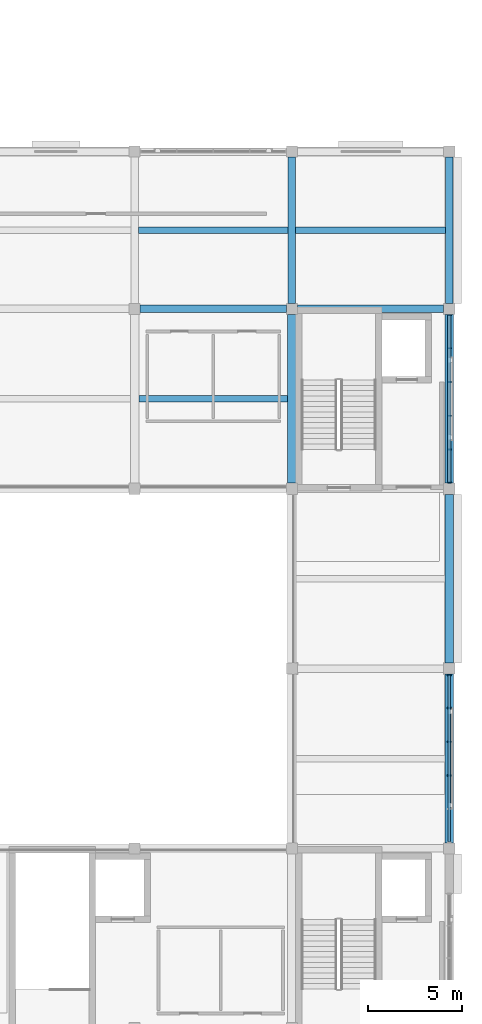
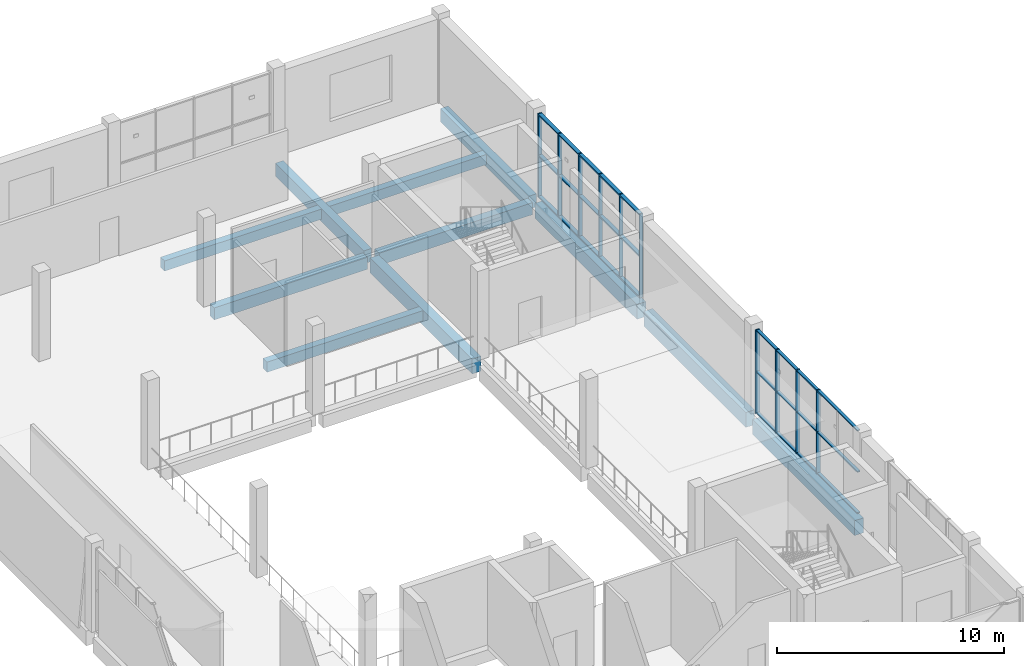
# One storey, part 13 of 37: 16 members, 11 beams, 2 elements without a shape of their own.
"""IFC4 building model written with IfcOpenShell, lengths in metres."""

from ifc_helpers import new_model, si_unit, direction, frame, origin, origin_2d, place, context, subcontext, project, spatial, rectangle, extrude, material, material_profile, profile_set, type_object, element, aggregate, save


model = new_model("IFC4")

# Units and contexts
model_context = context("Model", 3, precision=1e-05, world=origin(), true_north=direction((0.0, 1.0)))
body_context = subcontext(model_context, "Body", "Model", "MODEL_VIEW")
ifc_project = project(units=[si_unit("LENGTHUNIT", "METRE"), si_unit("AREAUNIT", "SQUARE_METRE"), si_unit("VOLUMEUNIT", "CUBIC_METRE"), si_unit("PLANEANGLEUNIT", "RADIAN"), si_unit("MASSUNIT", "GRAM", prefix="KILO")], contexts=[model_context])

# Site, building, storey
site_placement = place(None, origin())
site = spatial("IfcSite", under=ifc_project, at=site_placement, CompositionType="ELEMENT")
building_placement = place(site_placement, origin())
building = spatial("IfcBuilding", under=site, at=building_placement, Name="Shalvenor Court Art Gallery", CompositionType="ELEMENT")
storey_placement = place(building_placement, frame((0.0, 0.0, 22.199951171875)))
storey = spatial("IfcBuildingStorey", under=building, at=storey_placement, Name="L04", CompositionType="ELEMENT", Elevation=22.199951171875)

# Beams
ifc_material_1 = material(Name="Concrete C40/50", Category="concrete")
ifc_material_profile_1 = material_profile(ifc_material_1, rectangle(XDim=0.449951171875, YDim=0.800048828125, at=origin_2d()), Name="RC 450x800")
ifc_profile_set_1 = profile_set([ifc_material_profile_1], Name="Concrete C40/50")
beam_type_1 = type_object("IfcBeamType", Name="B-03", PredefinedType="BEAM", material=ifc_profile_set_1)
for number, where, z_axis, x_axis, name in (
    (1, (168.0, 79.5, -0.699951171875), (0.0, 1.0, 0.0), (-1.0, 0.0, 0.0), "L04 Girder BM-L04-B-03-1197"),
    (2, (176.39990234375, 60.300048828125, -0.699951171875), (0.0, 1.0, 0.0), (-1.0, 0.0, 0.0), "L04 Girder BM-L04-B-03-1201"),
    (3, (176.39990234375, 69.89990234375, -0.699951171875), (0.0, 1.0, 0.0), (-1.0, 0.0, 0.0), "L04 Girder BM-L04-B-03-1202"),
    (4, (176.39990234375, 79.5, -0.699951171875), (0.0, 1.0, 0.0), (-1.0, 0.0, 0.0), "L04 Girder BM-L04-B-03-1203"),
):
    element("IfcBeam", number, at=place(storey_placement, frame(where, z_axis=z_axis, x_axis=x_axis)), inside=storey, type_object=beam_type_1, Name=name, PredefinedType="BEAM", context=body_context, shape_type="SweptSolid", body=[
        extrude(rectangle(XDim=0.449951171875, YDim=0.800048828125, at=origin_2d()), origin(), (0.0, 0.0, 1.0), 9.0),
    ])
ifc_material_2 = material(Name="Concrete C40/50", Category="concrete")
ifc_material_profile_2 = material_profile(ifc_material_2, rectangle(XDim=0.39990234375, YDim=0.699951171875, at=origin_2d()), Name="RC 400x700")
ifc_profile_set_2 = profile_set([ifc_material_profile_2], Name="Concrete C40/50")
beam_type_2 = type_object("IfcBeamType", Name="B-05", PredefinedType="BEAM", material=ifc_profile_set_2)
for number, where, z_axis, x_axis, name in (
    (5, (168.0, 89.10009765625, -0.64990234375), (0.0, 1.0, 0.0), (-1.0, 0.0, 0.0), "L04 Girder BM-L04-B-05-1198"),
    (6, (176.39990234375, 89.10009765625, -0.64990234375), (0.0, 1.0, 0.0), (-1.0, 0.0, 0.0), "L04 Girder BM-L04-B-05-1204"),
):
    element("IfcBeam", number, at=place(storey_placement, frame(where, z_axis=z_axis, x_axis=x_axis)), inside=storey, type_object=beam_type_2, Name=name, PredefinedType="BEAM", context=body_context, shape_type="SweptSolid", body=[
        extrude(rectangle(XDim=0.39990234375, YDim=0.699951171875, at=origin_2d()), origin(), (0.0, 0.0, 1.0), 7.7998046875),
    ])
ifc_material_3 = material(Name="Concrete C40/50", Category="concrete")
ifc_material_profile_3 = material_profile(ifc_material_3, rectangle(XDim=0.39990234375, YDim=0.64990234375, at=origin_2d()), Name="RC 400x650")
ifc_profile_set_3 = profile_set([ifc_material_profile_3], Name="Concrete C40/50")
beam_type_3 = type_object("IfcBeamType", Name="B-06", PredefinedType="BEAM", material=ifc_profile_set_3)
for number, where, z_axis, x_axis, name in (
    (7, (159.89990234375, 88.800048828125, -0.625), (1.0, 0.0, 0.0), (0.0, 1.0, 0.0), "L04 Girder BM-L04-B-06-1235"),
    (8, (168.300048828125, 88.800048828125, -0.625), (1.0, 0.0, 0.0), (0.0, 1.0, 0.0), "L04 Girder BM-L04-B-06-1236"),
):
    element("IfcBeam", number, at=place(storey_placement, frame(where, z_axis=z_axis, x_axis=x_axis)), inside=storey, type_object=beam_type_3, Name=name, PredefinedType="BEAM", context=body_context, shape_type="SweptSolid", body=[
        extrude(rectangle(XDim=0.39990234375, YDim=0.64990234375, at=origin_2d()), origin(), (0.0, 0.0, 1.0), 7.800048828125),
    ])

# Curtain wall, members
ifc_material_4 = material(Name="Anodised aluminium and low-iron glass curtain wall", Category="aluminium")
curtain_wall_type_1 = type_object("IfcCurtainWallType", Name="CW-5x2-90-45-142", PredefinedType="USERDEFINED", material=ifc_material_4)
curtain_wall_1_placement = place(storey_placement, origin())
curtain_wall_1 = element("IfcCurtainWall", 9, at=curtain_wall_1_placement, inside=storey, type_object=curtain_wall_type_1, Name="L04 V1 Curtain Wall CW-L04-032", ObjectType="CURTAIN WALL", PredefinedType="USERDEFINED")
ifc_material_5 = material(Name="Anodised aluminium mullion", Category="aluminium")
ifc_material_profile_4 = material_profile(ifc_material_5, rectangle(XDim=0.06494140625, YDim=0.179931640625, at=origin_2d()), Name="CWM-01")
ifc_profile_set_4 = profile_set([ifc_material_profile_4], Name="Anodised aluminium mullion")
member_type_1 = type_object("IfcMemberType", Name="CWM-01", PredefinedType="MULLION", material=ifc_profile_set_4)
member_1_placement = place(storey_placement, frame((176.39990234375, 88.467529296875, 0.0), z_axis=(0.0, 0.0, 1.0), x_axis=(0.0, -1.0, 0.0)))
member_1 = element("IfcMember", 10, at=member_1_placement, type_object=member_type_1, Name="CW-5x2-90-45-142 mullion 1", PredefinedType="MULLION", context=body_context, shape_type="SweptSolid", body=[
    extrude(rectangle(XDim=0.06494140625, YDim=0.179931640625, at=origin_2d()), origin(), (0.0, 0.0, 1.0), 4.5),
])
member_2_placement = place(storey_placement, frame((176.39990234375, 86.699951171875, 0.0), z_axis=(0.0, 0.0, 1.0), x_axis=(0.0, -1.0, 0.0)))
member_2 = element("IfcMember", 11, at=member_2_placement, type_object=member_type_1, Name="CW-5x2-90-45-142 mullion 2", PredefinedType="MULLION", context=body_context, shape_type="SweptSolid", body=[
    extrude(rectangle(XDim=0.06494140625, YDim=0.179931640625, at=origin_2d()), origin(), (0.0, 0.0, 1.0), 4.5),
])
member_3_placement = place(storey_placement, frame((176.39990234375, 84.89990234375, 0.0), z_axis=(0.0, 0.0, 1.0), x_axis=(0.0, -1.0, 0.0)))
member_3 = element("IfcMember", 12, at=member_3_placement, type_object=member_type_1, Name="CW-5x2-90-45-142 mullion 3", PredefinedType="MULLION", context=body_context, shape_type="SweptSolid", body=[
    extrude(rectangle(XDim=0.06494140625, YDim=0.179931640625, at=origin_2d()), origin(), (0.0, 0.0, 1.0), 4.5),
])
member_4_placement = place(storey_placement, frame((176.39990234375, 83.10009765625, 0.0), z_axis=(0.0, 0.0, 1.0), x_axis=(0.0, -1.0, 0.0)))
member_4 = element("IfcMember", 13, at=member_4_placement, type_object=member_type_1, Name="CW-5x2-90-45-142 mullion 4", PredefinedType="MULLION", context=body_context, shape_type="SweptSolid", body=[
    extrude(rectangle(XDim=0.06494140625, YDim=0.179931640625, at=origin_2d()), origin(), (0.0, 0.0, 1.0), 4.5),
])
member_5_placement = place(storey_placement, frame((176.39990234375, 81.300048828125, 0.0), z_axis=(0.0, 0.0, 1.0), x_axis=(0.0, -1.0, 0.0)))
member_5 = element("IfcMember", 14, at=member_5_placement, type_object=member_type_1, Name="CW-5x2-90-45-142 mullion 5", PredefinedType="MULLION", context=body_context, shape_type="SweptSolid", body=[
    extrude(rectangle(XDim=0.06494140625, YDim=0.179931640625, at=origin_2d()), origin(), (0.0, 0.0, 1.0), 4.5),
])
member_6_placement = place(storey_placement, frame((176.39990234375, 79.532470703125, 0.0), z_axis=(0.0, 0.0, 1.0), x_axis=(0.0, -1.0, 0.0)))
member_6 = element("IfcMember", 15, at=member_6_placement, type_object=member_type_1, Name="CW-5x2-90-45-142 mullion 6", PredefinedType="MULLION", context=body_context, shape_type="SweptSolid", body=[
    extrude(rectangle(XDim=0.06494140625, YDim=0.179931640625, at=origin_2d()), origin(), (0.0, 0.0, 1.0), 4.5),
])

ifc_material_6 = material(Name="Anodised aluminium and low-iron glass curtain wall", Category="aluminium")
curtain_wall_type_2 = type_object("IfcCurtainWallType", Name="CW-5x2-90-45-212", PredefinedType="USERDEFINED", material=ifc_material_6)
curtain_wall_2_placement = place(storey_placement, origin())
curtain_wall_2 = element("IfcCurtainWall", 16, at=curtain_wall_2_placement, inside=storey, type_object=curtain_wall_type_2, Name="L04 V1 Curtain Wall CW-L04-033", ObjectType="CURTAIN WALL", PredefinedType="USERDEFINED")
ifc_material_7 = material(Name="Anodised aluminium mullion", Category="aluminium")
ifc_material_profile_5 = material_profile(ifc_material_7, rectangle(XDim=0.070068359375, YDim=0.199951171875, at=origin_2d()), Name="CWM-02")
ifc_profile_set_5 = profile_set([ifc_material_profile_5], Name="Anodised aluminium mullion")
member_type_2 = type_object("IfcMemberType", Name="CWM-02", PredefinedType="MULLION", material=ifc_profile_set_5)
member_7_placement = place(storey_placement, frame((176.39990234375, 69.264892578125, 0.0), z_axis=(0.0, 0.0, 1.0), x_axis=(0.0, -1.0, 0.0)))
member_7 = element("IfcMember", 17, at=member_7_placement, type_object=member_type_2, Name="CW-5x2-90-45-212 mullion 1", PredefinedType="MULLION", context=body_context, shape_type="SweptSolid", body=[
    extrude(rectangle(XDim=0.070068359375, YDim=0.199951171875, at=origin_2d()), origin(), (0.0, 0.0, 1.0), 4.5),
])
member_8_placement = place(storey_placement, frame((176.39990234375, 67.5, 0.0), z_axis=(0.0, 0.0, 1.0), x_axis=(0.0, -1.0, 0.0)))
member_8 = element("IfcMember", 18, at=member_8_placement, type_object=member_type_2, Name="CW-5x2-90-45-212 mullion 2", PredefinedType="MULLION", context=body_context, shape_type="SweptSolid", body=[
    extrude(rectangle(XDim=0.070068359375, YDim=0.199951171875, at=origin_2d()), origin(), (0.0, 0.0, 1.0), 4.5),
])
member_9_placement = place(storey_placement, frame((176.39990234375, 65.699951171875, 0.0), z_axis=(0.0, 0.0, 1.0), x_axis=(0.0, -1.0, 0.0)))
member_9 = element("IfcMember", 19, at=member_9_placement, type_object=member_type_2, Name="CW-5x2-90-45-212 mullion 3", PredefinedType="MULLION", context=body_context, shape_type="SweptSolid", body=[
    extrude(rectangle(XDim=0.070068359375, YDim=0.199951171875, at=origin_2d()), origin(), (0.0, 0.0, 1.0), 4.5),
])
member_10_placement = place(storey_placement, frame((176.39990234375, 63.89990234375, 0.0), z_axis=(0.0, 0.0, 1.0), x_axis=(0.0, -1.0, 0.0)))
member_10 = element("IfcMember", 20, at=member_10_placement, type_object=member_type_2, Name="CW-5x2-90-45-212 mullion 4", PredefinedType="MULLION", context=body_context, shape_type="SweptSolid", body=[
    extrude(rectangle(XDim=0.070068359375, YDim=0.199951171875, at=origin_2d()), origin(), (0.0, 0.0, 1.0), 4.5),
])
ifc_material_8 = material(Name="Anodised aluminium transom", Category="aluminium")
ifc_material_profile_6 = material_profile(ifc_material_8, rectangle(XDim=0.14990234375, YDim=0.06005859375, at=origin_2d()), Name="CWT-01")
ifc_profile_set_6 = profile_set([ifc_material_profile_6], Name="Anodised aluminium transom")
member_type_3 = type_object("IfcMemberType", Name="CWT-01", PredefinedType="USERDEFINED", material=ifc_profile_set_6)
member_11_placement = place(storey_placement, frame((176.39990234375, 69.264892578125, 0.030029296875), z_axis=(0.0, -1.0, 0.0), x_axis=(1.0, 0.0, 0.0)))
member_11 = element("IfcMember", 21, at=member_11_placement, type_object=member_type_3, Name="CW-5x2-90-45-212 transom 1", ObjectType="TRANSOM", PredefinedType="USERDEFINED", context=body_context, shape_type="SweptSolid", body=[
    extrude(rectangle(XDim=0.14990234375, YDim=0.06005859375, at=origin_2d()), origin(), (0.0, 0.0, 1.0), 8.929931640625),
])
member_12_placement = place(storey_placement, frame((176.39990234375, 69.264892578125, 2.25), z_axis=(0.0, -1.0, 0.0), x_axis=(1.0, 0.0, 0.0)))
member_12 = element("IfcMember", 22, at=member_12_placement, type_object=member_type_3, Name="CW-5x2-90-45-212 transom 2", ObjectType="TRANSOM", PredefinedType="USERDEFINED", context=body_context, shape_type="SweptSolid", body=[
    extrude(rectangle(XDim=0.14990234375, YDim=0.06005859375, at=origin_2d()), origin(), (0.0, 0.0, 1.0), 8.929931640625),
])
member_13_placement = place(storey_placement, frame((176.39990234375, 69.264892578125, 4.469970703125), z_axis=(0.0, -1.0, 0.0), x_axis=(1.0, 0.0, 0.0)))
member_13 = element("IfcMember", 23, at=member_13_placement, type_object=member_type_3, Name="CW-5x2-90-45-212 transom 3", ObjectType="TRANSOM", PredefinedType="USERDEFINED", context=body_context, shape_type="SweptSolid", body=[
    extrude(rectangle(XDim=0.14990234375, YDim=0.06005859375, at=origin_2d()), origin(), (0.0, 0.0, 1.0), 8.929931640625),
])
aggregate(curtain_wall_2, [member_7, member_8, member_9, member_10, member_11, member_12, member_13])

# Member
ifc_material_9 = material(Name="Anodised aluminium transom", Category="aluminium")
ifc_material_profile_7 = material_profile(ifc_material_9, rectangle(XDim=0.18994140625, YDim=0.070068359375, at=origin_2d()), Name="CWT-04")
ifc_profile_set_7 = profile_set([ifc_material_profile_7], Name="Anodised aluminium transom")
member_type_4 = type_object("IfcMemberType", Name="CWT-04", PredefinedType="USERDEFINED", material=ifc_profile_set_7)
member_14_placement = place(storey_placement, frame((176.39990234375, 88.467529296875, 0.03515625), z_axis=(0.0, -1.0, 0.0), x_axis=(1.0, 0.0, 0.0)))
member_14 = element("IfcMember", 24, at=member_14_placement, type_object=member_type_4, Name="CW-5x2-90-45-142 transom 1", ObjectType="TRANSOM", PredefinedType="USERDEFINED", context=body_context, shape_type="SweptSolid", body=[
    extrude(rectangle(XDim=0.18994140625, YDim=0.070068359375, at=origin_2d()), origin(), (0.0, 0.0, 1.0), 8.93505859375),
])

member_15_placement = place(storey_placement, frame((176.39990234375, 88.467529296875, 2.25), z_axis=(0.0, -1.0, 0.0), x_axis=(1.0, 0.0, 0.0)))
member_15 = element("IfcMember", 25, at=member_15_placement, type_object=member_type_4, Name="CW-5x2-90-45-142 transom 2", ObjectType="TRANSOM", PredefinedType="USERDEFINED", context=body_context, shape_type="SweptSolid", body=[
    extrude(rectangle(XDim=0.18994140625, YDim=0.070068359375, at=origin_2d()), origin(), (0.0, 0.0, 1.0), 8.93505859375),
])

member_16_placement = place(storey_placement, frame((176.39990234375, 88.467529296875, 4.465087890625), z_axis=(0.0, -1.0, 0.0), x_axis=(1.0, 0.0, 0.0)))
member_16 = element("IfcMember", 26, at=member_16_placement, type_object=member_type_4, Name="CW-5x2-90-45-142 transom 3", ObjectType="TRANSOM", PredefinedType="USERDEFINED", context=body_context, shape_type="SweptSolid", body=[
    extrude(rectangle(XDim=0.18994140625, YDim=0.070068359375, at=origin_2d()), origin(), (0.0, 0.0, 1.0), 8.93505859375),
])

aggregate(curtain_wall_1, [member_1, member_2, member_3, member_4, member_5, member_6, member_14, member_15, member_16])

# Beams
ifc_material_10 = material(Name="Concrete C40/50", Category="concrete")
ifc_material_profile_8 = material_profile(ifc_material_10, rectangle(XDim=0.35009765625, YDim=0.550048828125, at=origin_2d()), Name="RC 350x550")
ifc_profile_set_8 = profile_set([ifc_material_profile_8], Name="Concrete C40/50")
beam_type_4 = type_object("IfcBeamType", Name="J-02", PredefinedType="JOIST", material=ifc_profile_set_8)
beam_placement = place(storey_placement, frame((159.824951171875, 84.0, -0.574951171875), z_axis=(1.0, 0.0, 0.0), x_axis=(0.0, 1.0, 0.0)))
element("IfcBeam", 27, at=beam_placement, inside=storey, type_object=beam_type_4, Name="L04 Secondary Beam JST-L04-J-02-1267", PredefinedType="JOIST", context=body_context, shape_type="SweptSolid", body=[
    extrude(rectangle(XDim=0.35009765625, YDim=0.550048828125, at=origin_2d()), origin(), (0.0, 0.0, 1.0), 7.949951171875),
])
for number, where, z_axis, x_axis, name in (
    (28, (159.800048828125, 93.0, -0.574951171875), (1.0, 0.0, 0.0), (0.0, 1.0, 0.0), "L04 Secondary Beam JST-L04-J-02-1268"),
    (29, (168.199951171875, 93.0, -0.574951171875), (1.0, 0.0, 0.0), (0.0, 1.0, 0.0), "L04 Secondary Beam JST-L04-J-02-1272"),
):
    element("IfcBeam", number, at=place(storey_placement, frame(where, z_axis=z_axis, x_axis=x_axis)), inside=storey, type_object=beam_type_4, Name=name, PredefinedType="JOIST", context=body_context, shape_type="SweptSolid", body=[
        extrude(rectangle(XDim=0.35009765625, YDim=0.550048828125, at=origin_2d()), origin(), (0.0, 0.0, 1.0), 8.0),
    ])

save(model, "model.ifc")
